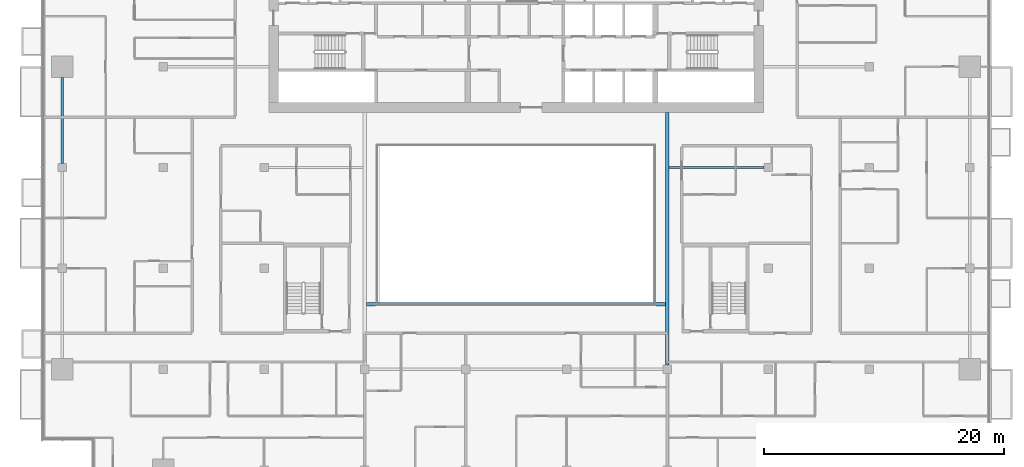
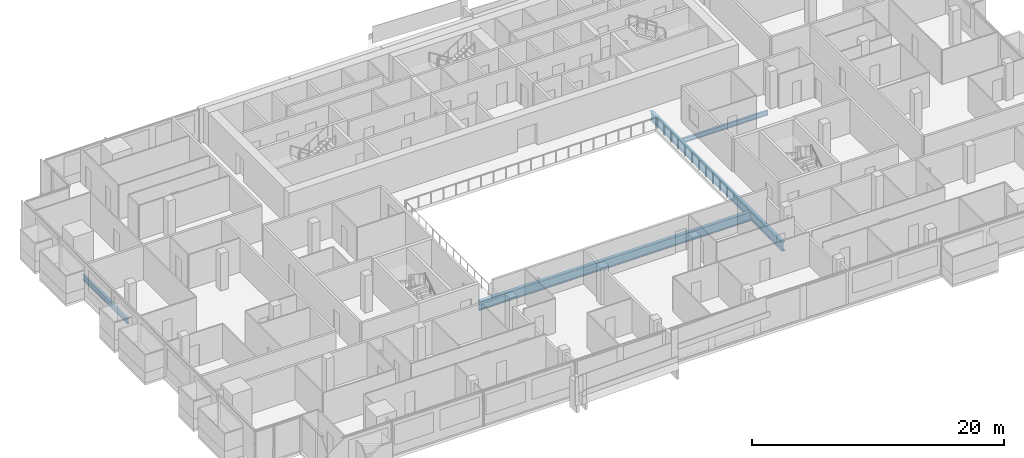
# One storey, part 7 of 28: 4 beams.
"""IFC4 building model written with IfcOpenShell, lengths in metres."""

import ifcopenshell
import ifcopenshell.guid

model = None  # the IFC model being written
_history = None  # IfcOwnerHistory: only IFC2X3 demands one
_inside = {}  # id of a spatial element -> (the spatial element, [elements in it])
_under = {}  # id of a project, library or spatial element -> (it, [spatial elements below it])
_declared = {}  # id of a project -> (the project, [libraries it declares])
_typed = {}  # id of a type object -> (the type object, [elements of that type])
_made_of = {}  # id of a material, layer set ... -> (it, [elements and type objects made of it])


def new_model(schema):
    """Start an empty IFC model of exactly this schema.

    Asked for "IFC4X3", IfcOpenShell would pick the latest addendum, in which some entities
    have other attributes; the version numbers below select the first issue.
    IFC2X3 requires an IfcOwnerHistory on every rooted entity: one is made here for all.
    """
    global model, _history
    if schema == "IFC4X3":
        model = ifcopenshell.file(schema_version=(4, 3, 0, 0))
    else:
        model = ifcopenshell.file(schema=schema)
    _inside.clear()
    _under.clear()
    _declared.clear()
    _typed.clear()
    _made_of.clear()
    _history = None
    if model.schema == "IFC2X3":
        org = make("IfcOrganization", Name="unknown")
        user = make(
            "IfcPersonAndOrganization",
            ThePerson=make("IfcPerson", FamilyName="unknown"),
            TheOrganization=org,
        )
        app = make(
            "IfcApplication",
            ApplicationDeveloper=org,
            Version="unknown",
            ApplicationFullName="unknown",
            ApplicationIdentifier="unknown",
        )
        _history = make(
            "IfcOwnerHistory",
            OwningUser=user,
            OwningApplication=app,
            ChangeAction="ADDED",
            CreationDate=0,
        )
    return model


def make(cls, **values):
    """One entity of the class cls with the attributes given. An attribute that is None is left unset."""
    return model.create_entity(
        cls, **{name: value for name, value in values.items() if value is not None}
    )


def rooted(cls, **values):
    """An entity with a GlobalId (a new one), such as an element, a storey or a relation."""
    return make(cls, GlobalId=ifcopenshell.guid.new(), OwnerHistory=_history, **values)


def si_unit(unit_type, name, prefix=None):
    """IfcSIUnit, for example si_unit("LENGTHUNIT", "METRE", prefix="MILLI")."""
    return make("IfcSIUnit", UnitType=unit_type, Prefix=prefix, Name=name)


def assignment(units):
    """IfcUnitAssignment: the units of a project."""
    return None if units is None else make("IfcUnitAssignment", Units=units)


def point(xyz):
    """IfcCartesianPoint."""
    return None if xyz is None else make("IfcCartesianPoint", Coordinates=xyz)


def direction(xyz):
    """IfcDirection."""
    return None if xyz is None else make("IfcDirection", DirectionRatios=xyz)


def frame(location, z_axis=None, x_axis=None):
    """IfcAxis2Placement3D, a coordinate frame: its origin and axes. An axis left out is left unset."""
    return make(
        "IfcAxis2Placement3D",
        Location=point(location),
        Axis=direction(z_axis),
        RefDirection=direction(x_axis),
    )


def frame_2d(location, x_axis=None):
    """IfcAxis2Placement2D, a coordinate frame in the plane: its origin and x axis."""
    return make(
        "IfcAxis2Placement2D", Location=point(location), RefDirection=direction(x_axis)
    )


def origin():
    """The frame at (0, 0, 0) with its axes left unset."""
    return frame((0.0, 0.0, 0.0))


def origin_2d():
    """The frame at (0, 0) in the plane with its x axis left unset."""
    return frame_2d((0.0, 0.0))


def place(relative_to, where):
    """IfcLocalPlacement: puts the frame where relative to a parent placement (None: the world)."""
    return make(
        "IfcLocalPlacement", PlacementRelTo=relative_to, RelativePlacement=where
    )


def context(
    kind, dimensions, precision=None, world=None, true_north=None, identifier=None
):
    """IfcGeometricRepresentationContext, for example the 3D "Model" context."""
    return make(
        "IfcGeometricRepresentationContext",
        ContextIdentifier=identifier,
        ContextType=kind,
        CoordinateSpaceDimension=dimensions,
        Precision=precision,
        WorldCoordinateSystem=world,
        TrueNorth=true_north,
    )


def subcontext(parent, identifier, kind, view, scale=None):
    """IfcGeometricRepresentationSubContext, for example "Body" below "Model"."""
    return make(
        "IfcGeometricRepresentationSubContext",
        ContextIdentifier=identifier,
        ContextType=kind,
        ParentContext=parent,
        TargetScale=scale,
        TargetView=view,
    )


def project(units=None, contexts=None):
    """IfcProject with its units and contexts."""
    return rooted(
        "IfcProject",
        Name="project",
        RepresentationContexts=contexts,
        UnitsInContext=assignment(units),
    )


def spatial(cls, under=None, at=None, **own):
    """A site, building, storey or space (cls), placed at a placement, below another one or the project."""
    s = rooted(cls, ObjectPlacement=at, **own)
    if under is not None:
        _under.setdefault(under.id(), (under, []))[1].append(s)
    return s


def profile(cls, at=None, kind="AREA", **sizes):
    """A parametric profile (cls). Its sizes go by their IFC names, for example OverallWidth=200.0."""
    return make(cls, ProfileType=kind, Position=at, **sizes)


def i_section(**sizes):
    """IfcIShapeProfileDef."""
    return profile("IfcIShapeProfileDef", **sizes)


def extrude(swept, where, along, depth):
    """IfcExtrudedAreaSolid: the profile swept, set in the frame where, extruded along a direction by depth."""
    return make(
        "IfcExtrudedAreaSolid",
        SweptArea=swept,
        Position=where,
        ExtrudedDirection=direction(along),
        Depth=depth,
    )


def shape(context_of_items, identifier, shape_type, items):
    """IfcShapeRepresentation: the items that make up one representation, for example the "Body"."""
    return make(
        "IfcShapeRepresentation",
        ContextOfItems=context_of_items,
        RepresentationIdentifier=identifier,
        RepresentationType=shape_type,
        Items=items,
    )


def material(Name=None, Category=None):
    """IfcMaterial."""
    return make("IfcMaterial", Name=Name, Category=Category)


def material_profile(
    of_material, cross_section, Name=None, Category=None, Priority=None
):
    """IfcMaterialProfile: a cross section and its material."""
    return make(
        "IfcMaterialProfile",
        Name=Name,
        Material=of_material,
        Profile=cross_section,
        Priority=Priority,
        Category=Category,
    )


def profile_set(profiles, Name=None, composite=None):
    """IfcMaterialProfileSet."""
    return make(
        "IfcMaterialProfileSet",
        Name=Name,
        MaterialProfiles=profiles,
        CompositeProfile=composite,
    )


def made_of(thing, what):
    """Note that an element or type object is made of a material, layer set ...; save() writes the relation."""
    if what is not None:
        _made_of.setdefault(what.id(), (what, []))[1].append(thing)
    return thing


def type_object(cls, material=None, **own):
    """A type object (cls), such as IfcWallType, which elements share."""
    return made_of(rooted(cls, **own), material)


def element(
    cls,
    number,
    at=None,
    inside=None,
    cuts=None,
    type_object=None,
    material=None,
    context=None,
    identifier="Body",
    shape_type=None,
    held_by="IfcProductDefinitionShape",
    body=None,
    shapes=None,
    **own,
):
    """One element of the class cls, such as IfcWall. Its Tag is "e" and its number.

    at: its placement. inside: the storey or other place that contains it. cuts: it is an
    opening in that element (IfcRelVoidsElement). A single representation is given by context,
    identifier, shape_type and body (its items); several are given by shapes. held_by: the class
    of the entity that holds the representations. save() writes the other relations.
    """
    e = rooted(cls, Tag="e%d" % number, ObjectPlacement=at, **own)
    if body is not None:
        shapes = [shape(context, identifier, shape_type, body)]
    if shapes is not None:
        e.Representation = make(held_by, Representations=shapes)
    if inside is not None:
        _inside.setdefault(inside.id(), (inside, []))[1].append(e)
    if cuts is not None:
        rooted(
            "IfcRelVoidsElement", RelatingBuildingElement=cuts, RelatedOpeningElement=e
        )
    if type_object is not None:
        _typed.setdefault(type_object.id(), (type_object, []))[1].append(e)
    return made_of(e, material)


def aggregate(whole, parts):
    """IfcRelAggregates: a whole, such as a stair, and the parts it consists of."""
    return rooted("IfcRelAggregates", RelatingObject=whole, RelatedObjects=parts)


def save(model, path):
    """Write the relations noted so far, then the file.

    IfcRelAggregates (storeys below a building ...), IfcRelContainedInSpatialStructure (elements
    in a storey), IfcRelDefinesByType, IfcRelAssociatesMaterial and IfcRelDeclares: one each for
    every whole, place, type object, material and project.
    """
    for whole, parts in _under.values():
        aggregate(whole, parts)
    for where, things in _inside.values():
        rooted(
            "IfcRelContainedInSpatialStructure",
            RelatedElements=things,
            RelatingStructure=where,
        )
    for kind, things in _typed.values():
        rooted("IfcRelDefinesByType", RelatedObjects=things, RelatingType=kind)
    for what, things in _made_of.values():
        rooted("IfcRelAssociatesMaterial", RelatedObjects=things, RelatingMaterial=what)
    for by, libraries in _declared.values():
        rooted("IfcRelDeclares", RelatingContext=by, RelatedDefinitions=libraries)
    model.write(path)


model = new_model("IFC4")

# Units and contexts
model_context = context("Model", 3, precision=1e-05, world=origin(), true_north=direction((0.0, 1.0)))
body_context = subcontext(model_context, "Body", "Model", "MODEL_VIEW")
ifc_project = project(units=[si_unit("LENGTHUNIT", "METRE"), si_unit("AREAUNIT", "SQUARE_METRE"), si_unit("VOLUMEUNIT", "CUBIC_METRE"), si_unit("PLANEANGLEUNIT", "RADIAN"), si_unit("MASSUNIT", "GRAM", prefix="KILO")], contexts=[model_context])

# Site, building, storey
site_placement = place(None, origin())
site = spatial("IfcSite", under=ifc_project, at=site_placement, CompositionType="ELEMENT")
building_placement = place(site_placement, origin())
building = spatial("IfcBuilding", under=site, at=building_placement, Name="Saffron Gate Tower", CompositionType="ELEMENT")
storey_placement = place(building_placement, frame((0.0, 0.0, 151.050048828125)))
storey = spatial("IfcBuildingStorey", under=building, at=storey_placement, Name="L36", CompositionType="ELEMENT", Elevation=151.050048828125)

# Beams
ifc_material = material(Name="Structural steel S355", Category="steel")
ifc_material_profile_1 = material_profile(ifc_material, i_section(OverallWidth=0.199951171875, OverallDepth=0.5, WebThickness=0.01025390625, FlangeThickness=0.01611328125, FilletRadius=0.02099609375, at=origin_2d()))
ifc_profile_set_1 = profile_set([ifc_material_profile_1], Name="Structural steel S355")
beam_type_1 = type_object("IfcBeamType", Name="B11 IPE 500", PredefinedType="SPANDREL", material=ifc_profile_set_1)
beam_1_placement = place(storey_placement, frame((49.800048828125, 57.35009765625, -0.530029296875), z_axis=(0.0, 1.0, 0.0), x_axis=(-1.0, 0.0, 0.0)))
element("IfcBeam", 1, at=beam_1_placement, inside=storey, type_object=beam_type_1, Name="B11 SPANDREL BEAM", PredefinedType="SPANDREL", context=body_context, shape_type="SweptSolid", body=[
    extrude(i_section(OverallWidth=0.199951171875, OverallDepth=0.5, WebThickness=0.01025390625, FlangeThickness=0.01611328125, FilletRadius=0.02099609375, at=origin_2d()), origin(), (0.0, 0.0, 1.0), 7.14990234375),
])
ifc_material_profile_2 = material_profile(ifc_material, i_section(OverallWidth=0.300048828125, OverallDepth=0.889892578125, WebThickness=0.01611328125, FlangeThickness=0.030029296875, FilletRadius=0.030029296875, at=origin_2d()))
ifc_profile_set_2 = profile_set([ifc_material_profile_2], Name="Structural steel S355")
beam_type_2 = type_object("IfcBeamType", Name="B19 HEA 900", PredefinedType="BEAM", material=ifc_profile_set_2)
beam_2_placement = place(storey_placement, frame((100.199951171875, 40.550048828125, -0.72509765625), z_axis=(0.0, 1.0, 0.0), x_axis=(-1.0, 0.0, 0.0)))
element("IfcBeam", 2, at=beam_2_placement, inside=storey, type_object=beam_type_2, Name="B19 ATRIUM GIRDER", PredefinedType="BEAM", context=body_context, shape_type="SweptSolid", body=[
    extrude(i_section(OverallWidth=0.300048828125, OverallDepth=0.889892578125, WebThickness=0.01611328125, FlangeThickness=0.030029296875, FilletRadius=0.030029296875, at=origin_2d()), origin(), (0.0, 0.0, 1.0), 21.050048828125),
])
beam_3_placement = place(storey_placement, frame((75.14990234375, 45.60009765625, -0.72509765625), z_axis=(1.0, 0.0, 0.0), x_axis=(0.0, 1.0, 0.0)))
element("IfcBeam", 3, at=beam_3_placement, inside=storey, type_object=beam_type_2, Name="B19 ATRIUM GIRDER", PredefinedType="BEAM", context=body_context, shape_type="SweptSolid", body=[
    extrude(i_section(OverallWidth=0.300048828125, OverallDepth=0.889892578125, WebThickness=0.01611328125, FlangeThickness=0.030029296875, FilletRadius=0.030029296875, at=origin_2d()), origin(), (0.0, 0.0, 1.0), 24.900146484375),
])
ifc_material_profile_3 = material_profile(ifc_material, i_section(OverallWidth=0.18994140625, OverallDepth=0.449951171875, WebThickness=0.009521484375, FlangeThickness=0.0146484375, FilletRadius=0.02099609375, at=origin_2d()))
ifc_profile_set_3 = profile_set([ifc_material_profile_3], Name="Structural steel S355")
beam_type_3 = type_object("IfcBeamType", Name="B6 IPE 450", PredefinedType="BEAM", material=ifc_profile_set_3)
beam_4_placement = place(storey_placement, frame((108.25, 57.0, -0.505126953125), z_axis=(-1.0, 0.0, 0.0), x_axis=(0.0, -1.0, 0.0)))
element("IfcBeam", 4, at=beam_4_placement, inside=storey, type_object=beam_type_3, Name="B6 CORE TIE BEAM", PredefinedType="BEAM", context=body_context, shape_type="SweptSolid", body=[
    extrude(i_section(OverallWidth=0.18994140625, OverallDepth=0.449951171875, WebThickness=0.009521484375, FlangeThickness=0.0146484375, FilletRadius=0.02099609375, at=origin_2d()), origin(), (0.0, 0.0, 1.0), 7.89990234375),
])

save(model, "model.ifc")
